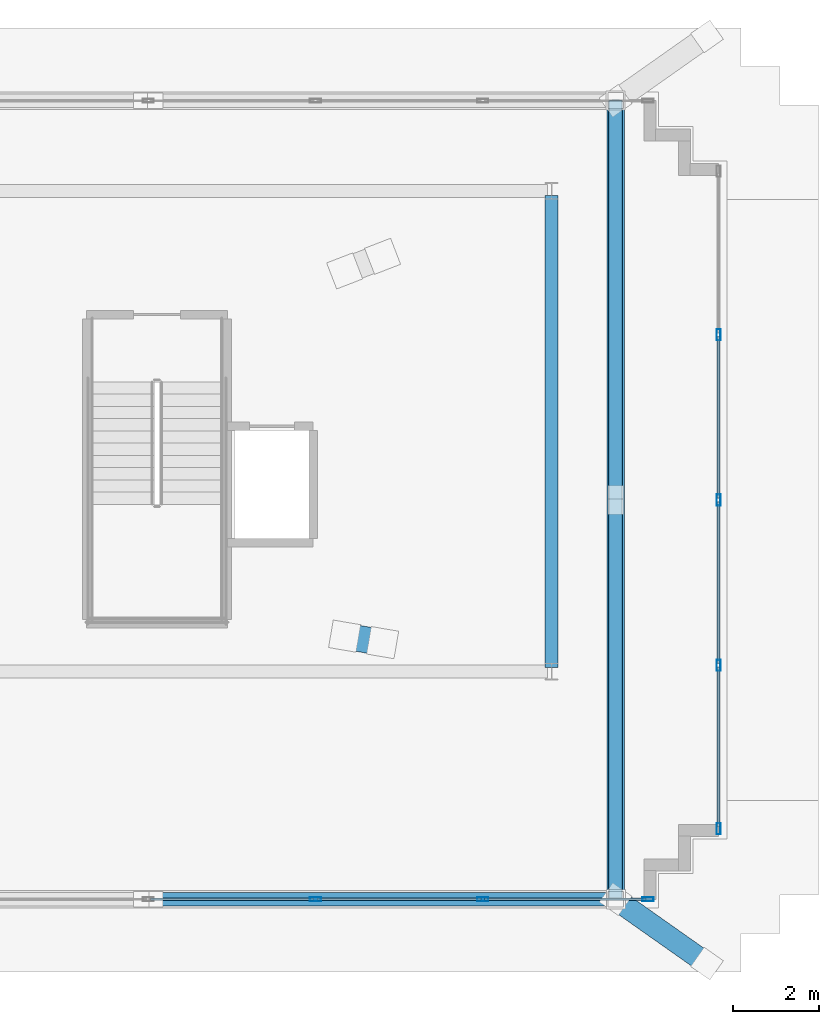
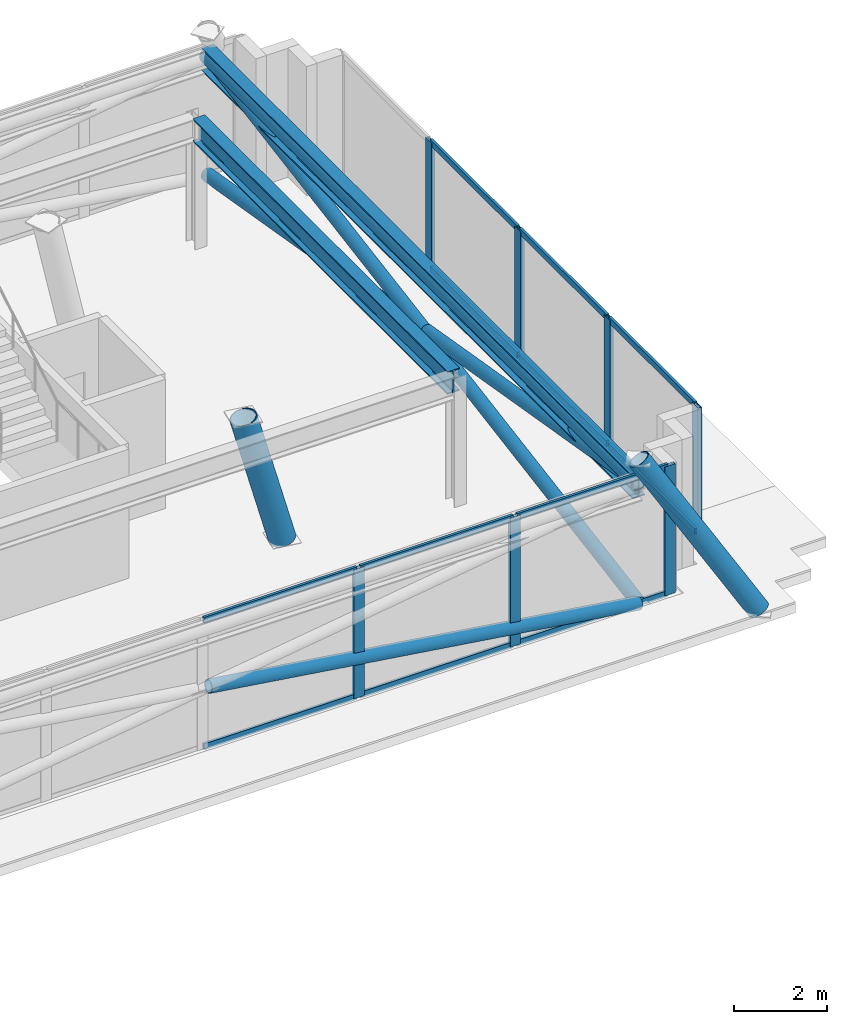
# One storey, part 5 of 13: 26 members, 2 beams, 2 elements without a shape of their own.
"""IFC4 building model written with IfcOpenShell, lengths in metres."""

from ifc_helpers import new_model, si_unit, direction, frame, origin, origin_2d, place, context, subcontext, project, spatial, hollow_rectangle, hollow_circle, i_section, extrude, material, layer, layer_set, material_profile, profile_set, type_object, element, aggregate, save


model = new_model("IFC4")

# Units and contexts
model_context = context("Model", 3, precision=1e-05, world=origin(), true_north=direction((0.0, 1.0)))
body_context = subcontext(model_context, "Body", "Model", "MODEL_VIEW")
ifc_project = project(units=[si_unit("LENGTHUNIT", "METRE"), si_unit("AREAUNIT", "SQUARE_METRE"), si_unit("VOLUMEUNIT", "CUBIC_METRE"), si_unit("PLANEANGLEUNIT", "RADIAN"), si_unit("MASSUNIT", "GRAM", prefix="KILO")], contexts=[model_context])

# Site, building, storey
site_placement = place(None, origin())
site = spatial("IfcSite", under=ifc_project, at=site_placement, CompositionType="ELEMENT")
building_placement = place(site_placement, origin())
building = spatial("IfcBuilding", under=site, at=building_placement, Name="Qobustan Lattice House", CompositionType="ELEMENT")
storey_placement = place(building_placement, frame((0.0, 0.0, 285.39990234375)))
storey = spatial("IfcBuildingStorey", under=building, at=storey_placement, Name="L80", CompositionType="ELEMENT", Elevation=285.39990234375)

# Beams
ifc_material_1 = material(Name="Steel S355", Category="steel")
ifc_material_profile_1 = material_profile(ifc_material_1, i_section(OverallWidth=0.300048828125, OverallDepth=0.60009765625, WebThickness=0.015380859375, FlangeThickness=0.030029296875, FilletRadius=0.027099609375, at=origin_2d()), Name="HEB600")
ifc_profile_set_1 = profile_set([ifc_material_profile_1], Name="Steel S355")
beam_type = type_object("IfcBeamType", Name="BM-POD-HEB600", PredefinedType="USERDEFINED", material=ifc_profile_set_1)
beam_1_placement = place(storey_placement, frame((9.199951171875, -5.5, 3.10009765625), z_axis=(0.0, 1.0, 0.0), x_axis=(-1.0, 0.0, 0.0)))
element("IfcBeam", 1, at=beam_1_placement, inside=storey, type_object=beam_type, Name="L80 crown support ring girder 2", ObjectType="GIRDER", PredefinedType="USERDEFINED", context=body_context, shape_type="SweptSolid", body=[
    extrude(i_section(OverallWidth=0.300048828125, OverallDepth=0.60009765625, WebThickness=0.015380859375, FlangeThickness=0.030029296875, FilletRadius=0.027099609375, at=origin_2d()), origin(), (0.0, 0.0, 1.0), 11.0),
])
beam_2_placement = place(storey_placement, frame((10.693603515625, -10.906494140625, 3.10009765625), z_axis=(0.0, 1.0, 0.0), x_axis=(-1.0, 0.0, 0.0)))
element("IfcBeam", 2, at=beam_2_placement, inside=storey, type_object=beam_type, Name="L80 crown perimeter ring beam 2", ObjectType="GIRDER", PredefinedType="USERDEFINED", context=body_context, shape_type="SweptSolid", body=[
    extrude(i_section(OverallWidth=0.300048828125, OverallDepth=0.60009765625, WebThickness=0.015380859375, FlangeThickness=0.030029296875, FilletRadius=0.027099609375, at=origin_2d()), origin(), (0.0, 0.0, 1.0), 18.613037109375),
])

# Curtain wall, members
ifc_material_2 = material(Name="Anodised aluminium and low-E glazing", Category="aluminium")
ifc_layer = layer(ifc_material_2, 0.219970703125)
ifc_layer_set = layer_set([ifc_layer], Name="Anodised aluminium and low-E glazing")
curtain_wall_type = type_object("IfcCurtainWallType", Name="CW-CRN-01", PredefinedType="USERDEFINED", material=ifc_layer_set)
curtain_wall_1_placement = place(storey_placement, origin())
curtain_wall_1 = element("IfcCurtainWall", 3, at=curtain_wall_1_placement, inside=storey, type_object=curtain_wall_type, Name="L80 glass-point crown faceted curtain wall 15", ObjectType="CURTAIN WALL", PredefinedType="USERDEFINED")
ifc_material_3 = material(Name="Anodised aluminium EN AW-6063 T6", Category="aluminium")
ifc_material_profile_2 = material_profile(ifc_material_3, hollow_rectangle(XDim=0.090087890625, YDim=0.260009765625, WallThickness=0.006103515625, at=origin_2d()), Name="CWM-CROWN-260x90")
ifc_profile_set_2 = profile_set([ifc_material_profile_2], Name="Anodised aluminium EN AW-6063 T6")
member_type_1 = type_object("IfcMemberType", Name="CWM-CRN-260", PredefinedType="MULLION", material=ifc_profile_set_2)
member_1_placement = place(storey_placement, frame((13.093505859375, 2.253173828125, 0.0), z_axis=(0.0, 0.0, 1.0), x_axis=(1.0, 0.0, 0.0)))
member_1 = element("IfcMember", 4, at=member_1_placement, type_object=member_type_1, Name="CW-CR mullion 2", PredefinedType="MULLION", context=body_context, shape_type="SweptSolid", body=[
    extrude(hollow_rectangle(XDim=0.090087890625, YDim=0.260009765625, WallThickness=0.006103515625, at=origin_2d()), origin(), (0.0, 0.0, 1.0), 3.400146484375),
])
member_2_placement = place(storey_placement, frame((13.093505859375, -1.60009765625, 0.0), z_axis=(0.0, 0.0, 1.0), x_axis=(1.0, 0.0, 0.0)))
member_2 = element("IfcMember", 5, at=member_2_placement, type_object=member_type_1, Name="CW-CR mullion 3", PredefinedType="MULLION", context=body_context, shape_type="SweptSolid", body=[
    extrude(hollow_rectangle(XDim=0.090087890625, YDim=0.260009765625, WallThickness=0.006103515625, at=origin_2d()), origin(), (0.0, 0.0, 1.0), 3.400146484375),
])
member_3_placement = place(storey_placement, frame((13.093505859375, -5.453369140625, 0.0), z_axis=(0.0, 0.0, 1.0), x_axis=(1.0, 0.0, 0.0)))
member_3 = element("IfcMember", 6, at=member_3_placement, type_object=member_type_1, Name="CW-CR mullion 4", PredefinedType="MULLION", context=body_context, shape_type="SweptSolid", body=[
    extrude(hollow_rectangle(XDim=0.090087890625, YDim=0.260009765625, WallThickness=0.006103515625, at=origin_2d()), origin(), (0.0, 0.0, 1.0), 3.400146484375),
])
member_4_placement = place(storey_placement, frame((13.093505859375, -9.261474609375, 0.0), z_axis=(0.0, 0.0, 1.0), x_axis=(1.0, 0.0, 0.0)))
member_4 = element("IfcMember", 7, at=member_4_placement, type_object=member_type_1, Name="CW-CR mullion 5", PredefinedType="MULLION", context=body_context, shape_type="SweptSolid", body=[
    extrude(hollow_rectangle(XDim=0.090087890625, YDim=0.260009765625, WallThickness=0.006103515625, at=origin_2d()), origin(), (0.0, 0.0, 1.0), 3.400146484375),
])

curtain_wall_2_placement = place(storey_placement, origin())
curtain_wall_2 = element("IfcCurtainWall", 8, at=curtain_wall_2_placement, inside=storey, type_object=curtain_wall_type, Name="L80 glass-point crown faceted curtain wall 20", ObjectType="CURTAIN WALL", PredefinedType="USERDEFINED")
member_5_placement = place(storey_placement, frame((11.448486328125, -10.906494140625, 0.0), z_axis=(0.0, 0.0, 1.0), x_axis=(0.0, -1.0, 0.0)))
member_5 = element("IfcMember", 9, at=member_5_placement, type_object=member_type_1, Name="CW-CR mullion 1", PredefinedType="MULLION", context=body_context, shape_type="SweptSolid", body=[
    extrude(hollow_rectangle(XDim=0.090087890625, YDim=0.260009765625, WallThickness=0.006103515625, at=origin_2d()), origin(), (0.0, 0.0, 1.0), 3.400146484375),
])
member_6_placement = place(storey_placement, frame((7.595703125, -10.906494140625, 0.0), z_axis=(0.0, 0.0, 1.0), x_axis=(0.0, -1.0, 0.0)))
member_6 = element("IfcMember", 10, at=member_6_placement, type_object=member_type_1, Name="CW-CR mullion 2", PredefinedType="MULLION", context=body_context, shape_type="SweptSolid", body=[
    extrude(hollow_rectangle(XDim=0.090087890625, YDim=0.260009765625, WallThickness=0.006103515625, at=origin_2d()), origin(), (0.0, 0.0, 1.0), 3.400146484375),
])
member_7_placement = place(storey_placement, frame((3.69775390625, -10.906494140625, 0.0), z_axis=(0.0, 0.0, 1.0), x_axis=(0.0, -1.0, 0.0)))
member_7 = element("IfcMember", 11, at=member_7_placement, type_object=member_type_1, Name="CW-CR mullion 3", PredefinedType="MULLION", context=body_context, shape_type="SweptSolid", body=[
    extrude(hollow_rectangle(XDim=0.090087890625, YDim=0.260009765625, WallThickness=0.006103515625, at=origin_2d()), origin(), (0.0, 0.0, 1.0), 3.400146484375),
])

# Member
ifc_material_4 = material(Name="Anodised aluminium EN AW-6063 T6", Category="aluminium")
ifc_material_profile_3 = material_profile(ifc_material_4, hollow_rectangle(XDim=0.06494140625, YDim=0.159912109375, WallThickness=0.00390625, at=origin_2d()), Name="CWT-160x65")
ifc_profile_set_3 = profile_set([ifc_material_profile_3], Name="Anodised aluminium EN AW-6063 T6")
member_type_2 = type_object("IfcMemberType", Name="CWT-HOR-160", PredefinedType="USERDEFINED", material=ifc_profile_set_3)
member_8_placement = place(storey_placement, frame((13.093505859375, 2.208251953125, 0.03271484375), z_axis=(0.0, -1.0, 0.0), x_axis=(1.0, 0.0, 0.0)))
member_8 = element("IfcMember", 12, at=member_8_placement, type_object=member_type_2, Name="CW-CR transom 2.1", ObjectType="TRANSOM", PredefinedType="USERDEFINED", context=body_context, shape_type="SweptSolid", body=[
    extrude(hollow_rectangle(XDim=0.06494140625, YDim=0.159912109375, WallThickness=0.00390625, at=origin_2d()), origin(), (0.0, 0.0, 1.0), 3.76318359375),
])

member_9_placement = place(storey_placement, frame((13.093505859375, 2.208251953125, 3.36767578125), z_axis=(0.0, -1.0, 0.0), x_axis=(1.0, 0.0, 0.0)))
member_9 = element("IfcMember", 13, at=member_9_placement, type_object=member_type_2, Name="CW-CR transom 2.2", ObjectType="TRANSOM", PredefinedType="USERDEFINED", context=body_context, shape_type="SweptSolid", body=[
    extrude(hollow_rectangle(XDim=0.06494140625, YDim=0.159912109375, WallThickness=0.00390625, at=origin_2d()), origin(), (0.0, 0.0, 1.0), 3.76318359375),
])

member_10_placement = place(storey_placement, frame((13.093505859375, -1.64501953125, 0.03271484375), z_axis=(0.0, -1.0, 0.0), x_axis=(1.0, 0.0, 0.0)))
member_10 = element("IfcMember", 14, at=member_10_placement, type_object=member_type_2, Name="CW-CR transom 3.1", ObjectType="TRANSOM", PredefinedType="USERDEFINED", context=body_context, shape_type="SweptSolid", body=[
    extrude(hollow_rectangle(XDim=0.06494140625, YDim=0.159912109375, WallThickness=0.00390625, at=origin_2d()), origin(), (0.0, 0.0, 1.0), 3.76318359375),
])

member_11_placement = place(storey_placement, frame((13.093505859375, -1.64501953125, 3.36767578125), z_axis=(0.0, -1.0, 0.0), x_axis=(1.0, 0.0, 0.0)))
member_11 = element("IfcMember", 15, at=member_11_placement, type_object=member_type_2, Name="CW-CR transom 3.2", ObjectType="TRANSOM", PredefinedType="USERDEFINED", context=body_context, shape_type="SweptSolid", body=[
    extrude(hollow_rectangle(XDim=0.06494140625, YDim=0.159912109375, WallThickness=0.00390625, at=origin_2d()), origin(), (0.0, 0.0, 1.0), 3.76318359375),
])

member_12_placement = place(storey_placement, frame((13.093505859375, -5.498291015625, 0.03271484375), z_axis=(0.0, -1.0, 0.0), x_axis=(1.0, 0.0, 0.0)))
member_12 = element("IfcMember", 16, at=member_12_placement, type_object=member_type_2, Name="CW-CR transom 4.1", ObjectType="TRANSOM", PredefinedType="USERDEFINED", context=body_context, shape_type="SweptSolid", body=[
    extrude(hollow_rectangle(XDim=0.06494140625, YDim=0.159912109375, WallThickness=0.00390625, at=origin_2d()), origin(), (0.0, 0.0, 1.0), 3.71826171875),
])

member_13_placement = place(storey_placement, frame((13.093505859375, -5.498291015625, 3.36767578125), z_axis=(0.0, -1.0, 0.0), x_axis=(1.0, 0.0, 0.0)))
member_13 = element("IfcMember", 17, at=member_13_placement, type_object=member_type_2, Name="CW-CR transom 4.2", ObjectType="TRANSOM", PredefinedType="USERDEFINED", context=body_context, shape_type="SweptSolid", body=[
    extrude(hollow_rectangle(XDim=0.06494140625, YDim=0.159912109375, WallThickness=0.00390625, at=origin_2d()), origin(), (0.0, 0.0, 1.0), 3.71826171875),
])

aggregate(curtain_wall_1, [member_1, member_2, member_3, member_4, member_8, member_9, member_10, member_11, member_12, member_13])

member_14_placement = place(storey_placement, frame((11.403564453125, -10.906494140625, 0.03271484375), z_axis=(-1.0, 0.0, 0.0), x_axis=(0.0, -1.0, 0.0)))
member_14 = element("IfcMember", 18, at=member_14_placement, type_object=member_type_2, Name="CW-CR transom 1.1", ObjectType="TRANSOM", PredefinedType="USERDEFINED", context=body_context, shape_type="SweptSolid", body=[
    extrude(hollow_rectangle(XDim=0.06494140625, YDim=0.159912109375, WallThickness=0.00390625, at=origin_2d()), origin(), (0.0, 0.0, 1.0), 3.762939453125),
])

member_15_placement = place(storey_placement, frame((11.403564453125, -10.906494140625, 3.36767578125), z_axis=(-1.0, 0.0, 0.0), x_axis=(0.0, -1.0, 0.0)))
member_15 = element("IfcMember", 19, at=member_15_placement, type_object=member_type_2, Name="CW-CR transom 1.2", ObjectType="TRANSOM", PredefinedType="USERDEFINED", context=body_context, shape_type="SweptSolid", body=[
    extrude(hollow_rectangle(XDim=0.06494140625, YDim=0.159912109375, WallThickness=0.00390625, at=origin_2d()), origin(), (0.0, 0.0, 1.0), 3.762939453125),
])

member_16_placement = place(storey_placement, frame((7.55078125, -10.906494140625, 0.03271484375), z_axis=(-1.0, 0.0, 0.0), x_axis=(0.0, -1.0, 0.0)))
member_16 = element("IfcMember", 20, at=member_16_placement, type_object=member_type_2, Name="CW-CR transom 2.1", ObjectType="TRANSOM", PredefinedType="USERDEFINED", context=body_context, shape_type="SweptSolid", body=[
    extrude(hollow_rectangle(XDim=0.06494140625, YDim=0.159912109375, WallThickness=0.00390625, at=origin_2d()), origin(), (0.0, 0.0, 1.0), 3.807861328125),
])

member_17_placement = place(storey_placement, frame((7.55078125, -10.906494140625, 3.36767578125), z_axis=(-1.0, 0.0, 0.0), x_axis=(0.0, -1.0, 0.0)))
member_17 = element("IfcMember", 21, at=member_17_placement, type_object=member_type_2, Name="CW-CR transom 2.2", ObjectType="TRANSOM", PredefinedType="USERDEFINED", context=body_context, shape_type="SweptSolid", body=[
    extrude(hollow_rectangle(XDim=0.06494140625, YDim=0.159912109375, WallThickness=0.00390625, at=origin_2d()), origin(), (0.0, 0.0, 1.0), 3.807861328125),
])

member_18_placement = place(storey_placement, frame((3.65283203125, -10.906494140625, 0.03271484375), z_axis=(-1.0, 0.0, 0.0), x_axis=(0.0, -1.0, 0.0)))
member_18 = element("IfcMember", 22, at=member_18_placement, type_object=member_type_2, Name="CW-CR transom 3.1", ObjectType="TRANSOM", PredefinedType="USERDEFINED", context=body_context, shape_type="SweptSolid", body=[
    extrude(hollow_rectangle(XDim=0.06494140625, YDim=0.159912109375, WallThickness=0.00390625, at=origin_2d()), origin(), (0.0, 0.0, 1.0), 3.807861328125),
])

member_19_placement = place(storey_placement, frame((3.65283203125, -10.906494140625, 3.36767578125), z_axis=(-1.0, 0.0, 0.0), x_axis=(0.0, -1.0, 0.0)))
member_19 = element("IfcMember", 23, at=member_19_placement, type_object=member_type_2, Name="CW-CR transom 3.2", ObjectType="TRANSOM", PredefinedType="USERDEFINED", context=body_context, shape_type="SweptSolid", body=[
    extrude(hollow_rectangle(XDim=0.06494140625, YDim=0.159912109375, WallThickness=0.00390625, at=origin_2d()), origin(), (0.0, 0.0, 1.0), 3.807861328125),
])

aggregate(curtain_wall_2, [member_5, member_6, member_7, member_14, member_15, member_16, member_17, member_18, member_19])

# Members
ifc_material_5 = material(Name="Steel S355", Category="steel")
ifc_material_profile_4 = material_profile(ifc_material_5, hollow_circle(Radius=0.161865234375, WallThickness=0.012451171875, at=origin_2d()), Name="CHS323.9x12.5")
ifc_profile_set_4 = profile_set([ifc_material_profile_4], Name="Steel S355")
member_type_3 = type_object("IfcMemberType", Name="MEM-CBR-CHS324", PredefinedType="BRACE", material=ifc_profile_set_4)
member_20_placement = place(storey_placement, frame((10.693603515625, -10.906494140625, 0.01513671875), z_axis=(-0.989612496266, 0.0, 0.143760589992), x_axis=(0.0, -1.0, 0.0)))
element("IfcMember", 24, at=member_20_placement, inside=storey, type_object=member_type_3, Name="L80 crown diagrid split brace 1B lower", PredefinedType="BRACE", context=body_context, shape_type="SweptSolid", body=[
    extrude(hollow_circle(Radius=0.161865234375, WallThickness=0.012451171875, at=origin_2d()), origin(), (0.0, 0.0, 1.0), 10.83984375),
])
member_21_placement = place(storey_placement, frame((10.693603515625, -10.906494140625, 0.01513671875), z_axis=(0.0, 0.985848645657, 0.167637847326), x_axis=(-1.0, 0.0, 0.0)))
element("IfcMember", 25, at=member_21_placement, inside=storey, type_object=member_type_3, Name="L80 crown diagrid continuous brace 2A", PredefinedType="BRACE", context=body_context, shape_type="SweptSolid", body=[
    extrude(hollow_circle(Radius=0.161865234375, WallThickness=0.012451171875, at=origin_2d()), origin(), (0.0, 0.0, 1.0), 18.880126953125),
])
member_22_placement = place(storey_placement, frame((10.693603515625, 7.70654296875, 0.01513671875), z_axis=(0.0, -0.985851365296, 0.167621852821), x_axis=(1.0, 0.0, 0.0)))
element("IfcMember", 26, at=member_22_placement, inside=storey, type_object=member_type_3, Name="L80 crown diagrid split brace 2B lower", PredefinedType="BRACE", context=body_context, shape_type="SweptSolid", body=[
    extrude(hollow_circle(Radius=0.161865234375, WallThickness=0.012451171875, at=origin_2d()), origin(), (0.0, 0.0, 1.0), 9.27197265625),
])
member_23_placement = place(storey_placement, frame((10.693603515625, -1.765625, 1.625732421875), z_axis=(0.0, -0.985847013813, 0.16764744363), x_axis=(1.0, 0.0, 0.0)))
element("IfcMember", 27, at=member_23_placement, inside=storey, type_object=member_type_3, Name="L80 crown diagrid split brace 2B upper", PredefinedType="BRACE", context=body_context, shape_type="SweptSolid", body=[
    extrude(hollow_circle(Radius=0.161865234375, WallThickness=0.012451171875, at=origin_2d()), origin(), (0.0, 0.0, 1.0), 9.272216796875),
])
ifc_material_6 = material(Name="Steel S355", Category="steel")
ifc_material_profile_5 = material_profile(ifc_material_6, hollow_circle(Radius=0.203125, WallThickness=0.01611328125, at=origin_2d()), Name="CHS406.4x16")
ifc_profile_set_5 = profile_set([ifc_material_profile_5], Name="Steel S355")
member_type_4 = type_object("IfcMemberType", Name="MEM-RNG-CHS406", PredefinedType="CHORD", material=ifc_profile_set_5)
member_24_placement = place(storey_placement, frame((10.693603515625, -10.906494140625, 3.18017578125), z_axis=(0.0, 1.0, 0.0), x_axis=(-1.0, 0.0, 0.0)))
element("IfcMember", 28, at=member_24_placement, inside=storey, type_object=member_type_4, Name="L80 crown ring chord 2", PredefinedType="CHORD", context=body_context, shape_type="SweptSolid", body=[
    extrude(hollow_circle(Radius=0.203125, WallThickness=0.01611328125, at=origin_2d()), origin(), (0.0, 0.0, 1.0), 18.613037109375),
])
ifc_material_7 = material(Name="Steel S355", Category="steel")
ifc_material_profile_6 = material_profile(ifc_material_7, hollow_circle(Radius=0.304931640625, WallThickness=0.02490234375, at=origin_2d()), Name="CHS610x25")
ifc_profile_set_6 = profile_set([ifc_material_profile_6], Name="Steel S355")
member_type_5 = type_object("IfcMemberType", Name="MEM-SPR-CHS610", PredefinedType="USERDEFINED", material=ifc_profile_set_6)
member_25_placement = place(storey_placement, frame((5.25927734375, -4.92431640625, 0.0), z_axis=(-0.25074949261, 0.042983643291, 0.96709725383), x_axis=(-0.168956239166, -0.985623553517, 0.0)))
element("IfcMember", 29, at=member_25_placement, inside=storey, type_object=member_type_5, Name="L80 crown spire leg SL2", ObjectType="CROWN FRAME", PredefinedType="USERDEFINED", context=body_context, shape_type="SweptSolid", body=[
    extrude(hollow_circle(Radius=0.304931640625, WallThickness=0.02490234375, at=origin_2d()), origin(), (0.0, 0.0, 1.0), 3.515869140625),
])
ifc_material_8 = material(Name="Steel S355", Category="steel")
ifc_material_profile_7 = material_profile(ifc_material_8, hollow_circle(Radius=0.25390625, WallThickness=0.02001953125, at=origin_2d()), Name="CHS508x20")
ifc_profile_set_7 = profile_set([ifc_material_profile_7], Name="Steel S355")
member_type_6 = type_object("IfcMemberType", Name="MEM-STR-CHS508", PredefinedType="STRUT", material=ifc_profile_set_7)
member_26_placement = place(storey_placement, frame((12.820068359375, -12.405029296875, 0.0), z_axis=(-0.461753371927, 0.32540094109, 0.825165468892), x_axis=(-0.576041902773, -0.817420165062, 0.0)))
element("IfcMember", 30, at=member_26_placement, inside=storey, type_object=member_type_6, Name="L80 crown corner raking strut 2", PredefinedType="STRUT", context=body_context, shape_type="SweptSolid", body=[
    extrude(hollow_circle(Radius=0.25390625, WallThickness=0.02001953125, at=origin_2d()), origin(), (0.0, 0.0, 1.0), 4.605224609375),
])

save(model, "model.ifc")
